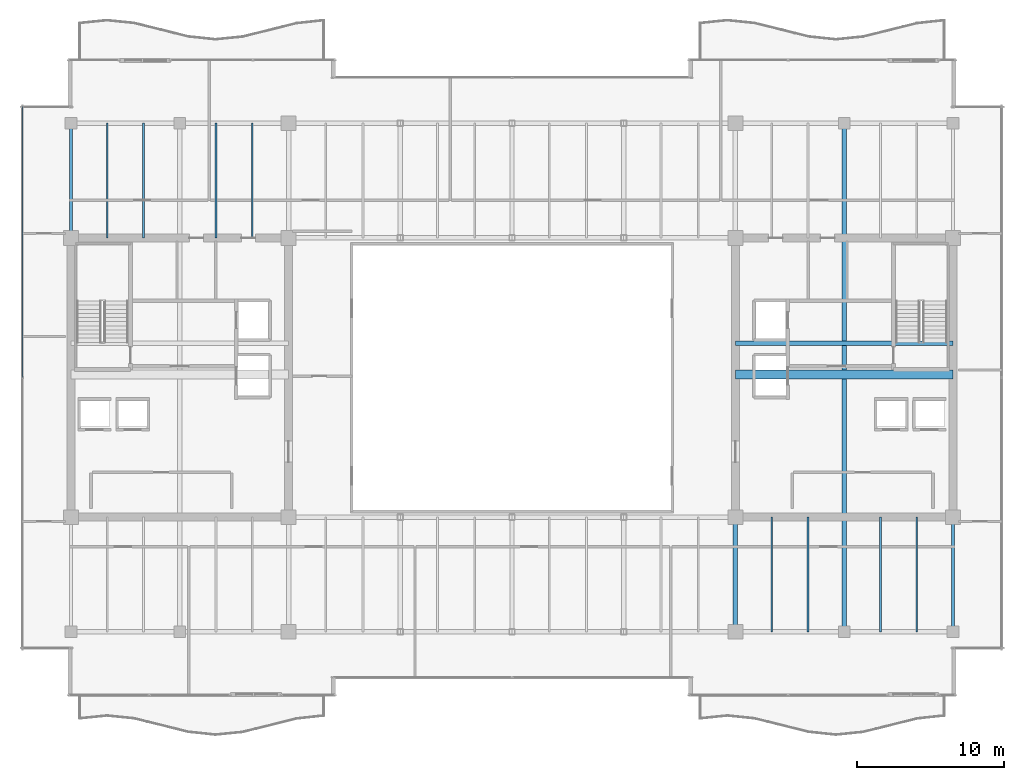
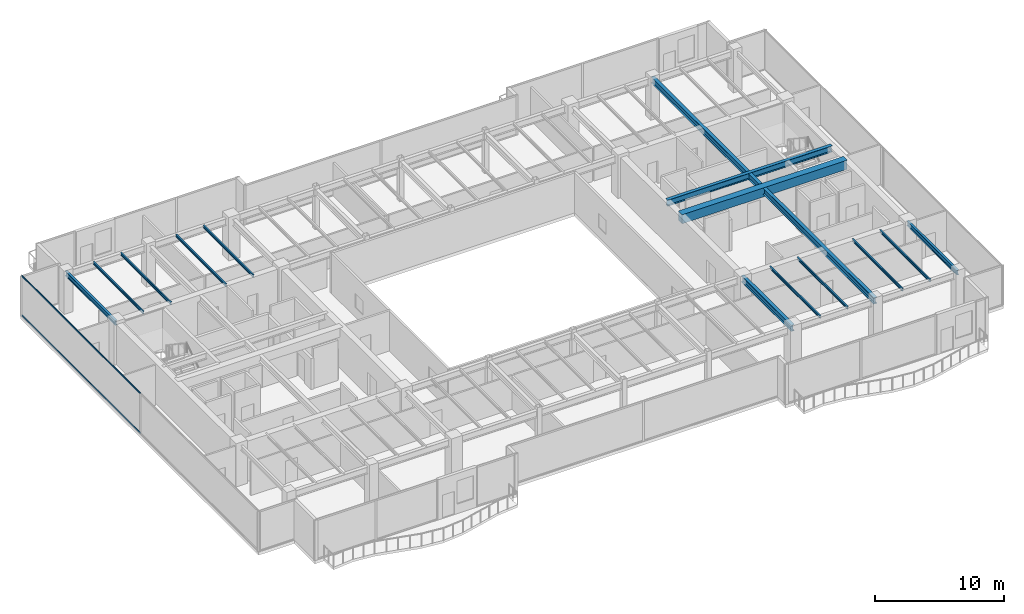
# One storey, part 13 of 34: 14 beams, 2 members, 1 element without a shape of its own.
"""IFC4 building model written with IfcOpenShell, lengths in metres."""

from ifc_helpers import new_model, si_unit, direction, frame, origin, origin_2d, place, context, subcontext, project, spatial, rectangle, hollow_rectangle, i_section, extrude, source, transform, mapped, material, layer, layer_set, material_profile, profile_set, type_object, type_shapes, element, aggregate, save


model = new_model("IFC4")

# Units and contexts
model_context = context("Model", 3, precision=1e-05, world=origin(), true_north=direction((0.0, 1.0)))
body_context = subcontext(model_context, "Body", "Model", "MODEL_VIEW")
ifc_project = project(units=[si_unit("LENGTHUNIT", "METRE"), si_unit("AREAUNIT", "SQUARE_METRE"), si_unit("VOLUMEUNIT", "CUBIC_METRE"), si_unit("PLANEANGLEUNIT", "RADIAN"), si_unit("MASSUNIT", "GRAM", prefix="KILO")], contexts=[model_context])

# Site, building, storey
site_placement = place(None, origin())
site = spatial("IfcSite", under=ifc_project, at=site_placement, CompositionType="ELEMENT")
building_placement = place(site_placement, origin())
building = spatial("IfcBuilding", under=site, at=building_placement, Name="Haelvirn Gate Laboratories", CompositionType="ELEMENT")
storey_placement = place(building_placement, frame((0.0, 0.0, 246.5)))
storey = spatial("IfcBuildingStorey", under=building, at=storey_placement, Name="L59", CompositionType="ELEMENT", Elevation=246.5)

# Beams
ifc_material_1 = material(Name="Steel SM355", Category="steel")
ifc_material_profile_1 = material_profile(ifc_material_1, i_section(OverallWidth=0.300048828125, OverallDepth=0.587890625, WebThickness=0.011962890625, FlangeThickness=0.02001953125, at=origin_2d()), Name="H-588x300x12x20")
ifc_profile_set_1 = profile_set([ifc_material_profile_1], Name="Steel SM355")
beam_type_1 = type_object("IfcBeamType", Name="BM-G-588", PredefinedType="BEAM", material=ifc_profile_set_1)
shared_shape_1 = source(origin(), body_context, "Body", "SweptSolid", [
    extrude(i_section(OverallWidth=0.300048828125, OverallDepth=0.587890625, WebThickness=0.011962890625, FlangeThickness=0.02001953125, at=origin_2d()), origin(), (0.0, 0.0, 1.0), 14.7998046875),
])
beam_1_placement = place(storey_placement, frame((52.60009765625, 26.6201171875, 3.506103515625), z_axis=(1.0, 0.0, 0.0), x_axis=(0.0, 1.0, 0.0)))
element("IfcBeam", 1, at=beam_1_placement, inside=storey, type_object=beam_type_1, Name="L59 Stair ST2 Landing Header", PredefinedType="BEAM", context=body_context, shape_type="MappedRepresentation", body=[
    mapped(shared_shape_1, transform((0.0, 0.0, 0.0), scale=1.0)),
])
shared_shape_2 = source(origin(), body_context, "Body", "SweptSolid", [
    extrude(i_section(OverallWidth=0.300048828125, OverallDepth=0.587890625, WebThickness=0.011962890625, FlangeThickness=0.02001953125, at=origin_2d()), origin(), (0.0, 0.0, 1.0), 34.60009765625),
])
beam_2_placement = place(storey_placement, frame((60.0, 7.0, 3.506103515625), z_axis=(0.0, 1.0, 0.0), x_axis=(-1.0, 0.0, 0.0)))
element("IfcBeam", 2, at=beam_2_placement, inside=storey, type_object=beam_type_1, Name="L59 Frame Girder X60.0 (7.0-41.6)", PredefinedType="BEAM", context=body_context, shape_type="MappedRepresentation", body=[
    mapped(shared_shape_2, transform((0.0, 0.0, 0.0), scale=1.0)),
])
shared_shape_3 = source(origin(), body_context, "Body", "SweptSolid", [
    extrude(i_section(OverallWidth=0.300048828125, OverallDepth=0.587890625, WebThickness=0.011962890625, FlangeThickness=0.02001953125, at=origin_2d()), origin(), (0.0, 0.0, 1.0), 7.800048828125),
])
type_shapes(beam_type_1, [shared_shape_1, shared_shape_2, shared_shape_3])
beam_3_placement = place(storey_placement, frame((52.60009765625, 7.0, 3.506103515625), z_axis=(0.0, 1.0, 0.0), x_axis=(-1.0, 0.0, 0.0)))
element("IfcBeam", 3, at=beam_3_placement, inside=storey, type_object=beam_type_1, Name="L59 Frame Girder X52.6 (7.0-14.8)", PredefinedType="BEAM", context=body_context, shape_type="MappedRepresentation", body=[
    mapped(shared_shape_3, transform((0.0, 0.0, 0.0), scale=1.0)),
])
ifc_material_2 = material(Name="Concrete C50/60", Category="concrete")
ifc_material_profile_2 = material_profile(ifc_material_2, rectangle(XDim=0.60009765625, YDim=0.85009765625, at=origin_2d()), Name="RCB-600x850")
ifc_profile_set_2 = profile_set([ifc_material_profile_2], Name="Concrete C50/60")
beam_type_2 = type_object("IfcBeamType", Name="BM-RCB-850", PredefinedType="LINTEL", material=ifc_profile_set_2)
shared_shape_4 = source(origin(), body_context, "Body", "SweptSolid", [
    extrude(rectangle(XDim=0.60009765625, YDim=0.85009765625, at=origin_2d()), origin(), (0.0, 0.0, 1.0), 14.7998046875),
])
type_shapes(beam_type_2, [shared_shape_4])
beam_4_placement = place(storey_placement, frame((52.60009765625, 24.5, 3.375), z_axis=(1.0, 0.0, 0.0), x_axis=(0.0, 1.0, 0.0)))
element("IfcBeam", 4, at=beam_4_placement, inside=storey, type_object=beam_type_2, Name="L59 East Core Coupling Beam", PredefinedType="LINTEL", context=body_context, shape_type="MappedRepresentation", body=[
    mapped(shared_shape_4, transform((0.0, 0.0, 0.0), scale=1.0)),
])
ifc_material_profile_3 = material_profile(ifc_material_1, i_section(OverallWidth=0.199951171875, OverallDepth=0.449951171875, WebThickness=0.009033203125, FlangeThickness=0.013916015625, at=origin_2d()), Name="H-450x200x9x14")
ifc_profile_set_3 = profile_set([ifc_material_profile_3], Name="Steel SM355")
beam_type_3 = type_object("IfcBeamType", Name="BM-SP-450", PredefinedType="SPANDREL", material=ifc_profile_set_3)
shared_shape_5 = source(origin(), body_context, "Body", "SweptSolid", [
    extrude(i_section(OverallWidth=0.199951171875, OverallDepth=0.449951171875, WebThickness=0.009033203125, FlangeThickness=0.013916015625, at=origin_2d()), origin(), (0.0, 0.0, 1.0), 7.800048828125),
])
type_shapes(beam_type_3, [shared_shape_5])
for number, where, z_axis, x_axis, name in (
    (5, (7.39990234375, 33.800048828125, 3.574951171875), (0.0, 1.0, 0.0), (-1.0, 0.0, 0.0), "L59 Perimeter Spandrel X7.4 (33.8-41.6)"),
    (6, (67.39990234375, 7.0, 3.574951171875), (0.0, 1.0, 0.0), (-1.0, 0.0, 0.0), "L59 Perimeter Spandrel X67.4 (7.0-14.8)"),
):
    element("IfcBeam", number, at=place(storey_placement, frame(where, z_axis=z_axis, x_axis=x_axis)), inside=storey, type_object=beam_type_3, Name=name, PredefinedType="SPANDREL", context=body_context, shape_type="MappedRepresentation", body=[
        mapped(shared_shape_5, transform((0.0, 0.0, 0.0), scale=1.0)),
    ])
ifc_material_profile_4 = material_profile(ifc_material_1, i_section(OverallWidth=0.125, OverallDepth=0.25, WebThickness=0.006103515625, FlangeThickness=0.009033203125, at=origin_2d()), Name="H-250x125x6x9")
ifc_profile_set_4 = profile_set([ifc_material_profile_4], Name="Steel SM355")
beam_type_4 = type_object("IfcBeamType", Name="BM-J-250", PredefinedType="JOIST", material=ifc_profile_set_4)
shared_shape_6 = source(origin(), body_context, "Body", "SweptSolid", [
    extrude(i_section(OverallWidth=0.125, OverallDepth=0.25, WebThickness=0.006103515625, FlangeThickness=0.009033203125, at=origin_2d()), origin(), (0.0, 0.0, 1.0), 7.800048828125),
])
type_shapes(beam_type_4, [shared_shape_6])
for number, where, z_axis, x_axis, name in (
    (7, (9.8701171875, 33.800048828125, 3.675048828125), (0.0, 1.0, 0.0), (-1.0, 0.0, 0.0), "L59 Composite Lab Joist North X9.87"),
    (8, (12.330078125, 33.800048828125, 3.675048828125), (0.0, 1.0, 0.0), (-1.0, 0.0, 0.0), "L59 Composite Lab Joist North X12.33"),
    (9, (17.27001953125, 33.800048828125, 3.675048828125), (0.0, 1.0, 0.0), (-1.0, 0.0, 0.0), "L59 Composite Lab Joist North X17.27"),
    (10, (19.72998046875, 33.800048828125, 3.675048828125), (0.0, 1.0, 0.0), (-1.0, 0.0, 0.0), "L59 Composite Lab Joist North X19.73"),
    (11, (55.070068359375, 7.0, 3.675048828125), (0.0, 1.0, 0.0), (-1.0, 0.0, 0.0), "L59 Composite Lab Joist South X55.07"),
    (12, (57.530029296875, 7.0, 3.675048828125), (0.0, 1.0, 0.0), (-1.0, 0.0, 0.0), "L59 Composite Lab Joist South X57.53"),
    (13, (62.469970703125, 7.0, 3.675048828125), (0.0, 1.0, 0.0), (-1.0, 0.0, 0.0), "L59 Composite Lab Joist South X62.47"),
    (14, (64.929931640625, 7.0, 3.675048828125), (0.0, 1.0, 0.0), (-1.0, 0.0, 0.0), "L59 Composite Lab Joist South X64.93"),
):
    element("IfcBeam", number, at=place(storey_placement, frame(where, z_axis=z_axis, x_axis=x_axis)), inside=storey, type_object=beam_type_4, Name=name, PredefinedType="JOIST", context=body_context, shape_type="MappedRepresentation", body=[
        mapped(shared_shape_6, transform((0.0, 0.0, 0.0), scale=1.0)),
    ])

# Curtain wall, members
ifc_material_3 = material(Name="Anodised bronze unitised aluminium & triple low-E glass", Category="aluminium")
ifc_layer = layer(ifc_material_3, 0.176025390625, Name="CW-SYS-4")
ifc_layer_set = layer_set([ifc_layer], Name="Anodised bronze unitised aluminium & triple low-E glass")
curtain_wall_type = type_object("IfcCurtainWallType", Name="CW-SYS-4", PredefinedType="NOTDEFINED", material=ifc_layer_set)
curtain_wall_placement = place(storey_placement, origin())
curtain_wall = element("IfcCurtainWall", 15, at=curtain_wall_placement, inside=storey, type_object=curtain_wall_type, Name="L59 Unitised Curtain Wall CW-L59-P0-E17", PredefinedType="NOTDEFINED")
ifc_material_4 = material(Name="Extruded aluminium 6063-T6 (anodised bronze)", Category="aluminium")
ifc_material_profile_5 = material_profile(ifc_material_4, hollow_rectangle(XDim=0.06494140625, YDim=0.139892578125, WallThickness=0.00390625, at=origin_2d()), Name="CWT-140x65x4")
ifc_profile_set_5 = profile_set([ifc_material_profile_5], Name="Extruded aluminium 6063-T6 (anodised bronze)")
member_type = type_object("IfcMemberType", Name="CWT-T140", PredefinedType="USERDEFINED", material=ifc_profile_set_5)
shared_shape_7 = source(origin(), body_context, "Body", "SweptSolid", [
    extrude(hollow_rectangle(XDim=0.06494140625, YDim=0.139892578125, WallThickness=0.00390625, at=origin_2d()), origin(), (0.0, 0.0, 1.0), 18.39501953125),
])
type_shapes(member_type, [shared_shape_7])
member_1_placement = place(storey_placement, frame((4.10009765625, 42.72998046875, 0.032470703125), z_axis=(0.0, -1.0, 0.0), x_axis=(1.0, 0.0, 0.0)))
member_1 = element("IfcMember", 16, at=member_1_placement, type_object=member_type, Name="CW4 transom 1.1", ObjectType="TRANSOM", PredefinedType="USERDEFINED", context=body_context, shape_type="MappedRepresentation", body=[
    mapped(shared_shape_7, transform((0.0, 0.0, 0.0), scale=1.0)),
])
member_2_placement = place(storey_placement, frame((4.10009765625, 42.72998046875, 3.767578125), z_axis=(0.0, -1.0, 0.0), x_axis=(1.0, 0.0, 0.0)))
member_2 = element("IfcMember", 17, at=member_2_placement, type_object=member_type, Name="CW4 transom 1.2", ObjectType="TRANSOM", PredefinedType="USERDEFINED", context=body_context, shape_type="MappedRepresentation", body=[
    mapped(shared_shape_7, transform((0.0, 0.0, 0.0), scale=1.0)),
])
aggregate(curtain_wall, [member_1, member_2])

save(model, "model.ifc")
